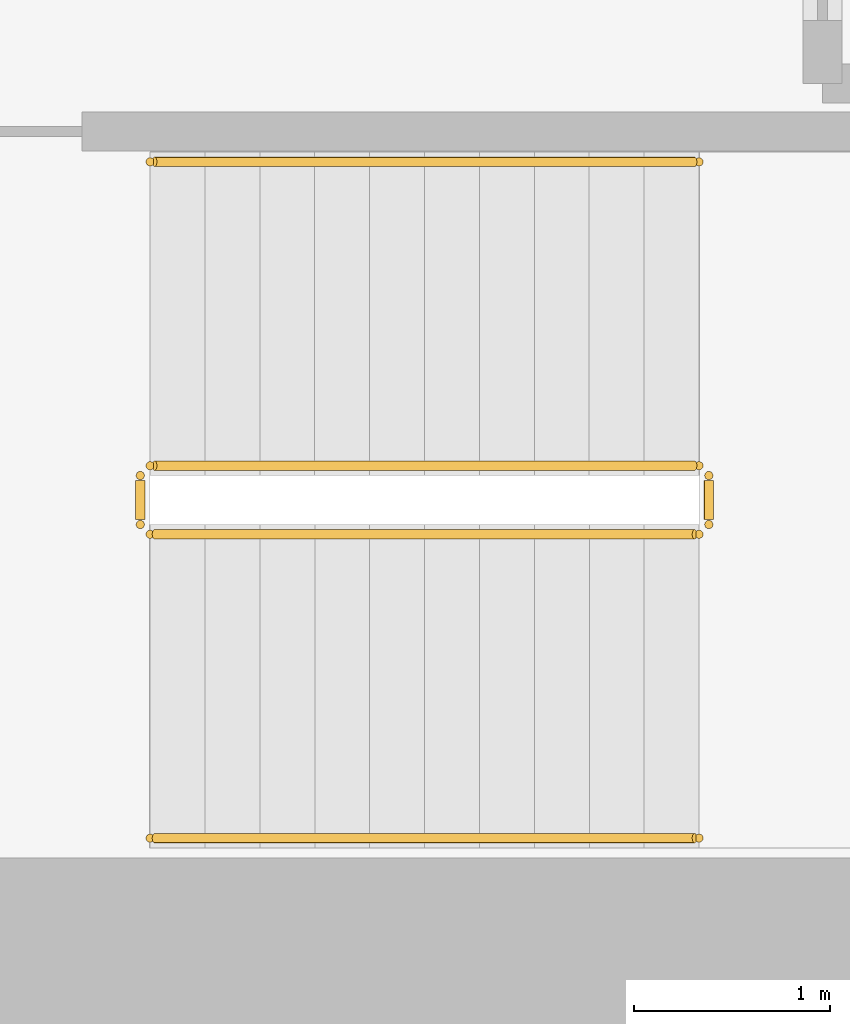
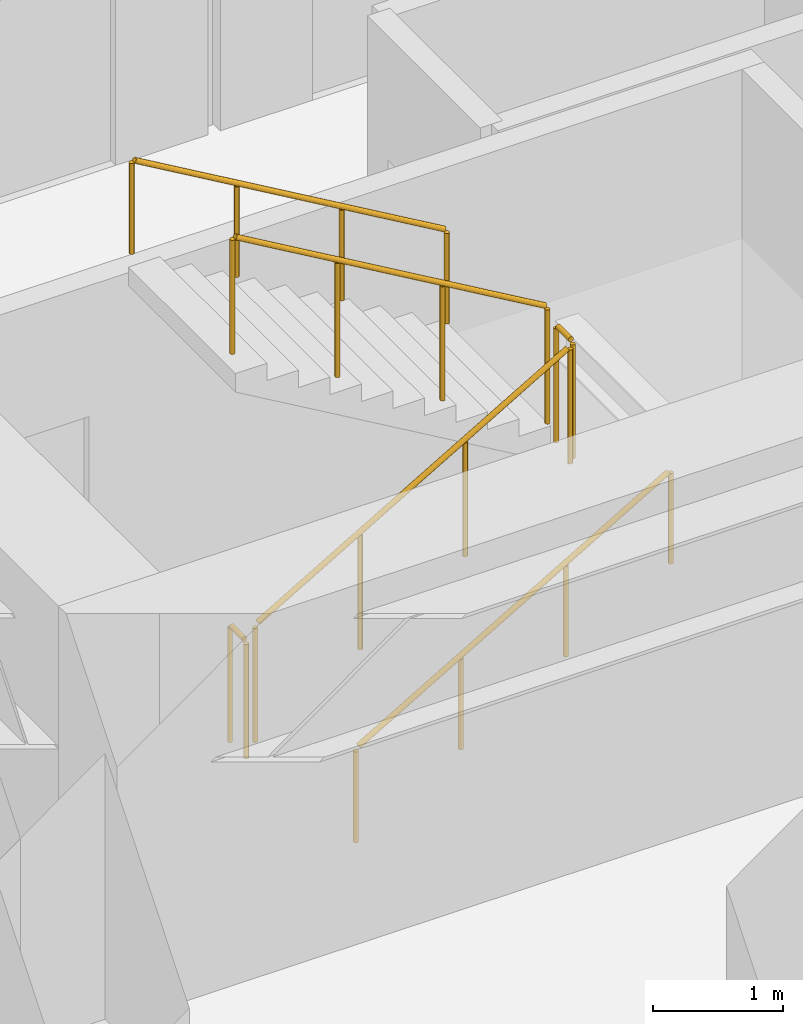
# One storey, part 14 of 14: 6 railings.
"""IFC4 building model written with IfcOpenShell, lengths in metres."""

from ifc_helpers import new_model, si_unit, direction, frame, origin, origin_2d, place, context, subcontext, project, spatial, circle, extrude, source, transform, mapped, material, layer, layer_set, type_object, element, save


model = new_model("IFC4")

# Units and contexts
model_context = context("Model", 3, precision=1e-05, world=origin(), true_north=direction((0.0, 1.0)))
body_context = subcontext(model_context, "Body", "Model", "MODEL_VIEW")
ifc_project = project(units=[si_unit("LENGTHUNIT", "METRE"), si_unit("AREAUNIT", "SQUARE_METRE"), si_unit("VOLUMEUNIT", "CUBIC_METRE"), si_unit("PLANEANGLEUNIT", "RADIAN"), si_unit("MASSUNIT", "GRAM", prefix="KILO")], contexts=[model_context])

# Site, building, storey
site_placement = place(None, origin())
site = spatial("IfcSite", under=ifc_project, at=site_placement, CompositionType="ELEMENT")
building_placement = place(site_placement, origin())
building = spatial("IfcBuilding", under=site, at=building_placement, Name="Kharzan Plaza Tower", CompositionType="ELEMENT")
storey_placement = place(building_placement, frame((0.0, 0.0, 29.699951171875)))
storey = spatial("IfcBuildingStorey", under=building, at=storey_placement, Name="L07", CompositionType="ELEMENT", Elevation=29.699951171875)

# Railings
ifc_material_1 = material(Name="Painted Galvanized Architectural Steel", Category="steel")
ifc_layer_1 = layer(ifc_material_1, 0.074951171875)
ifc_layer_set_1 = layer_set([ifc_layer_1], Name="Painted Galvanized Architectural Steel")
railing_type_1 = type_object("IfcRailingType", Name="RL-GUARD-1120", PredefinedType="BALUSTRADE", material=ifc_layer_set_1)
shared_shape_1 = source(origin(), body_context, "Body", "SweptSolid", [
    extrude(circle(Radius=0.02392578125, at=origin_2d()), frame((0.0, 0.0263671875, 1.09619140625), z_axis=(0.0, 1.0, 0.0), x_axis=(-1.0, 0.0, 0.0)), (0.0, 0.0, 1.0), 0.197021484375),
    extrude(circle(Radius=0.02099609375, at=origin_2d()), origin(), (0.0, 0.0, 1.0), 1.072021484375),
    extrude(circle(Radius=0.02099609375, at=origin_2d()), frame((0.0, 0.25, 0.0)), (0.0, 0.0, 1.0), 1.072021484375),
])
for number, where, name in (
    (1, (41.10009765625, 6.64990234375, 1.800048828125), "L07 ST-3 stair guard 2"),
    (2, (38.199951171875, 6.64990234375, 0.0), "L07 ST-3 stair guard 4"),
):
    element("IfcRailing", number, at=place(storey_placement, frame(where)), inside=storey, type_object=railing_type_1, Name=name, PredefinedType="BALUSTRADE", context=body_context, shape_type="MappedRepresentation", body=[
        mapped(shared_shape_1, transform((0.0, 0.0, 0.0), x_axis=(1.0, 0.0, 0.0), y_axis=(0.0, 1.0, 0.0), z_axis=(0.0, 0.0, 1.0))),
    ])
shared_shape_2 = source(origin(), body_context, "Body", "SweptSolid", [
    extrude(circle(Radius=0.02392578125, at=origin_2d()), frame((0.02294921875, 0.0, 1.109375), z_axis=(0.863360870873, 0.0, 0.504586966384), x_axis=(0.0, 1.0, 0.0)), (0.0, 0.0, 1.0), 3.190185546875),
    extrude(circle(Radius=0.02099609375, at=origin_2d()), origin(), (0.0, 0.0, 1.0), 1.072021484375),
    extrude(circle(Radius=0.02099609375, at=origin_2d()), frame((0.933349609375, 0.0, 0.54541015625)), (0.0, 0.0, 1.0), 1.072021484375),
    extrude(circle(Radius=0.02099609375, at=origin_2d()), frame((1.86669921875, 0.0, 1.091064453125)), (0.0, 0.0, 1.0), 1.072021484375),
    extrude(circle(Radius=0.02099609375, at=origin_2d()), frame((2.800048828125, 0.0, 1.636474609375)), (0.0, 0.0, 1.0), 1.072021484375),
])
railing_1_placement = place(storey_placement, frame((38.25, 6.60009765625, 0.16357421875)))
element("IfcRailing", 3, at=railing_1_placement, inside=storey, type_object=railing_type_1, Name="L07 ST-3 stair guard 1", PredefinedType="BALUSTRADE", context=body_context, shape_type="MappedRepresentation", body=[
    mapped(shared_shape_2, transform((0.0, 0.0, 0.0), x_axis=(1.0, 0.0, 0.0), y_axis=(0.0, 1.0, 0.0), z_axis=(0.0, 0.0, 1.0))),
])
shared_shape_3 = source(origin(), body_context, "Body", "SweptSolid", [
    extrude(circle(Radius=0.02392578125, at=origin_2d()), frame((-0.02294921875, 0.0, 1.109375), z_axis=(-0.863360870873, 0.0, 0.504586966384), x_axis=(0.0, -1.0, 0.0)), (0.0, 0.0, 1.0), 3.190185546875),
    extrude(circle(Radius=0.02099609375, at=origin_2d()), origin(), (0.0, 0.0, 1.0), 1.072021484375),
    extrude(circle(Radius=0.02099609375, at=origin_2d()), frame((-0.933349609375, 0.0, 0.54541015625)), (0.0, 0.0, 1.0), 1.072021484375),
    extrude(circle(Radius=0.02099609375, at=origin_2d()), frame((-1.86669921875, 0.0, 1.091064453125)), (0.0, 0.0, 1.0), 1.072021484375),
    extrude(circle(Radius=0.02099609375, at=origin_2d()), frame((-2.800048828125, 0.0, 1.636474609375)), (0.0, 0.0, 1.0), 1.072021484375),
])
railing_2_placement = place(storey_placement, frame((41.050048828125, 6.949951171875, 1.963623046875)))
element("IfcRailing", 4, at=railing_2_placement, inside=storey, type_object=railing_type_1, Name="L07 ST-3 stair guard 3", PredefinedType="BALUSTRADE", context=body_context, shape_type="MappedRepresentation", body=[
    mapped(shared_shape_3, transform((0.0, 0.0, 0.0), x_axis=(1.0, 0.0, 0.0), y_axis=(0.0, 1.0, 0.0), z_axis=(0.0, 0.0, 1.0))),
])
ifc_material_2 = material(Name="Brushed Stainless Steel", Category="steel")
ifc_layer_2 = layer(ifc_material_2, 0.050048828125)
ifc_layer_set_2 = layer_set([ifc_layer_2], Name="Brushed Stainless Steel")
railing_type_2 = type_object("IfcRailingType", Name="RL-STAIR-HR920", PredefinedType="HANDRAIL", material=ifc_layer_set_2)
shared_shape_4 = source(origin(), body_context, "Body", "SweptSolid", [
    extrude(circle(Radius=0.02392578125, at=origin_2d()), frame((0.02294921875, 0.0, 0.88916015625), z_axis=(0.863360870873, 0.0, 0.504586966384), x_axis=(0.0, 1.0, 0.0)), (0.0, 0.0, 1.0), 3.190185546875),
    extrude(circle(Radius=0.02099609375, at=origin_2d()), origin(), (0.0, 0.0, 1.0), 0.851806640625),
    extrude(circle(Radius=0.02099609375, at=origin_2d()), frame((0.933349609375, 0.0, 0.54541015625)), (0.0, 0.0, 1.0), 0.851806640625),
    extrude(circle(Radius=0.02099609375, at=origin_2d()), frame((1.86669921875, 0.0, 1.091064453125)), (0.0, 0.0, 1.0), 0.851806640625),
    extrude(circle(Radius=0.02099609375, at=origin_2d()), frame((2.800048828125, 0.0, 1.636474609375)), (0.0, 0.0, 1.0), 0.851806640625),
])
railing_3_placement = place(storey_placement, frame((38.25, 5.050048828125, 0.16357421875)))
element("IfcRailing", 5, at=railing_3_placement, inside=storey, type_object=railing_type_2, Name="L07 ST-3 stair handrail 1", PredefinedType="HANDRAIL", context=body_context, shape_type="MappedRepresentation", body=[
    mapped(shared_shape_4, transform((0.0, 0.0, 0.0), x_axis=(1.0, 0.0, 0.0), y_axis=(0.0, 1.0, 0.0), z_axis=(0.0, 0.0, 1.0))),
])
shared_shape_5 = source(origin(), body_context, "Body", "SweptSolid", [
    extrude(circle(Radius=0.02392578125, at=origin_2d()), frame((-0.02294921875, 0.0, 0.88916015625), z_axis=(-0.863360870873, 0.0, 0.504586966384), x_axis=(0.0, -1.0, 0.0)), (0.0, 0.0, 1.0), 3.190185546875),
    extrude(circle(Radius=0.02099609375, at=origin_2d()), origin(), (0.0, 0.0, 1.0), 0.851806640625),
    extrude(circle(Radius=0.02099609375, at=origin_2d()), frame((-0.933349609375, 0.0, 0.54541015625)), (0.0, 0.0, 1.0), 0.851806640625),
    extrude(circle(Radius=0.02099609375, at=origin_2d()), frame((-1.86669921875, 0.0, 1.091064453125)), (0.0, 0.0, 1.0), 0.851806640625),
    extrude(circle(Radius=0.02099609375, at=origin_2d()), frame((-2.800048828125, 0.0, 1.636474609375)), (0.0, 0.0, 1.0), 0.851806640625),
])
railing_4_placement = place(storey_placement, frame((41.050048828125, 8.5, 1.963623046875)))
element("IfcRailing", 6, at=railing_4_placement, inside=storey, type_object=railing_type_2, Name="L07 ST-3 stair handrail 2", PredefinedType="HANDRAIL", context=body_context, shape_type="MappedRepresentation", body=[
    mapped(shared_shape_5, transform((0.0, 0.0, 0.0), x_axis=(1.0, 0.0, 0.0), y_axis=(0.0, 1.0, 0.0), z_axis=(0.0, 0.0, 1.0))),
])

save(model, "model.ifc")
